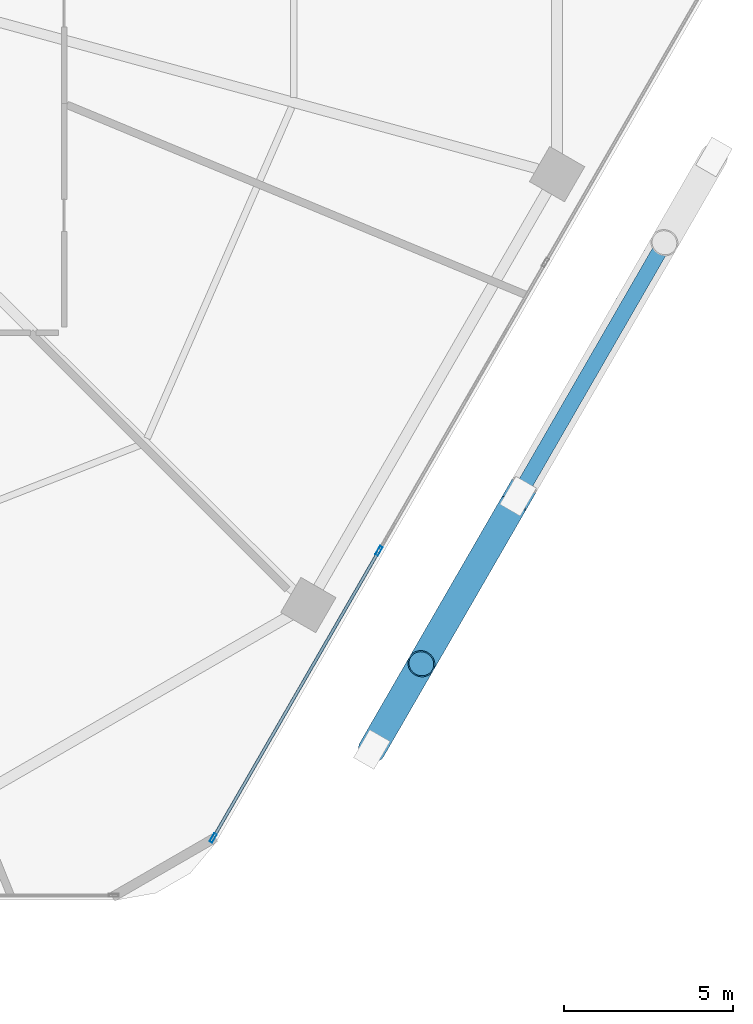
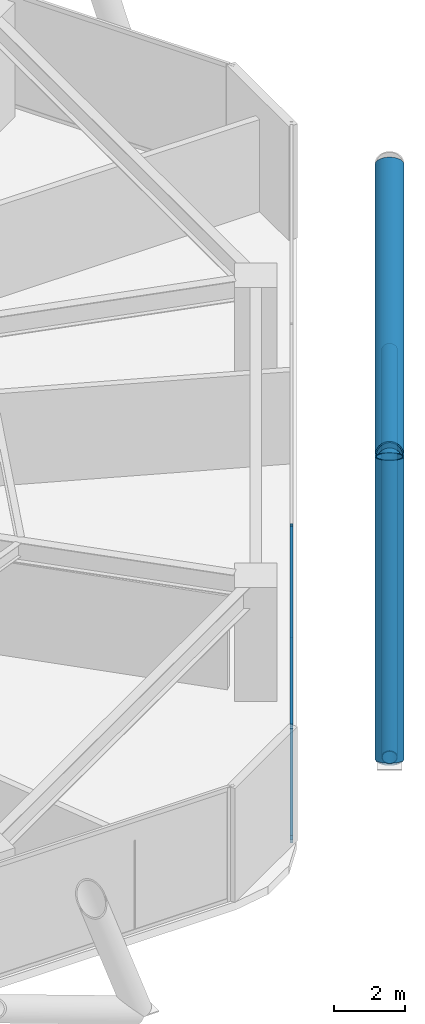
# One storey, part 9 of 28: 8 members, 1 element without a shape of its own.
"""IFC4 building model written with IfcOpenShell, lengths in metres."""

from ifc_helpers import new_model, si_unit, direction, frame, origin, origin_2d, place, context, subcontext, project, spatial, hollow_rectangle, hollow_circle, extrude, material, material_profile, profile_set, type_object, element, aggregate, save


model = new_model("IFC4")

# Units and contexts
model_context = context("Model", 3, precision=1e-05, world=origin(), true_north=direction((0.0, 1.0)))
body_context = subcontext(model_context, "Body", "Model", "MODEL_VIEW")
ifc_project = project(units=[si_unit("LENGTHUNIT", "METRE"), si_unit("AREAUNIT", "SQUARE_METRE"), si_unit("VOLUMEUNIT", "CUBIC_METRE"), si_unit("PLANEANGLEUNIT", "RADIAN"), si_unit("MASSUNIT", "GRAM", prefix="KILO")], contexts=[model_context])

# Site, building, storey
site_placement = place(None, origin())
site = spatial("IfcSite", under=ifc_project, at=site_placement, CompositionType="ELEMENT")
building_placement = place(site_placement, origin())
building = spatial("IfcBuilding", under=site, at=building_placement, Name="Zuhravey Tower", CompositionType="ELEMENT")
storey_placement = place(building_placement, frame((0.0, 0.0, 75.0)))
storey = spatial("IfcBuildingStorey", under=building, at=storey_placement, Name="L18", CompositionType="ELEMENT", Elevation=75.0)

# Curtain wall, members
ifc_material_1 = material(Name="Thermally broken anodised aluminium", Category="aluminium")
curtain_wall_type = type_object("IfcCurtainWallType", Name="School Low-E Unitised Curtain Wall CW1", PredefinedType="NOTDEFINED", material=ifc_material_1)
curtain_wall_placement = place(storey_placement, origin())
curtain_wall = element("IfcCurtainWall", 1, at=curtain_wall_placement, inside=storey, type_object=curtain_wall_type, Name="L18 CW1 CW-L18-F6-1", PredefinedType="NOTDEFINED")
ifc_material_2 = material(Name="Anodised aluminium", Category="aluminium")
ifc_material_profile_1 = material_profile(ifc_material_2, hollow_rectangle(XDim=0.090087890625, YDim=0.284912109375, WallThickness=0.0048828125, at=origin_2d()), Name="ALU-RHS-90x285x5")
ifc_profile_set_1 = profile_set([ifc_material_profile_1], Name="Anodised aluminium")
member_type_1 = type_object("IfcMemberType", Name="Curtain-Wall Mullion 90x180", PredefinedType="MULLION", material=ifc_profile_set_1)
member_1_placement = place(storey_placement, frame((58.612060546875, 13.24853515625, 0.0), z_axis=(0.0, 0.0, 1.0), x_axis=(0.86602552265, -0.499999794119, 0.0)))
member_1 = element("IfcMember", 2, at=member_1_placement, type_object=member_type_1, Name="CW1 mullion 3", PredefinedType="MULLION", context=body_context, shape_type="SweptSolid", body=[
    extrude(hollow_rectangle(XDim=0.090087890625, YDim=0.284912109375, WallThickness=0.0048828125, at=origin_2d()), origin(), (0.0, 0.0, 1.0), 3.919921875),
])
member_2_placement = place(storey_placement, frame((53.701416015625, 4.742919921875, 0.0), z_axis=(0.0, 0.0, 1.0), x_axis=(0.86602552265, -0.499999794119, 0.0)))
member_2 = element("IfcMember", 3, at=member_2_placement, type_object=member_type_1, Name="CW1 mullion 4", PredefinedType="MULLION", context=body_context, shape_type="SweptSolid", body=[
    extrude(hollow_rectangle(XDim=0.090087890625, YDim=0.284912109375, WallThickness=0.0048828125, at=origin_2d()), origin(), (0.0, 0.0, 1.0), 3.919921875),
])
ifc_material_profile_2 = material_profile(ifc_material_2, hollow_rectangle(XDim=0.090087890625, YDim=0.14990234375, WallThickness=0.0048828125, at=origin_2d()), Name="ALU-RHS-90x150x5")
ifc_profile_set_2 = profile_set([ifc_material_profile_2], Name="Anodised aluminium")
member_type_2 = type_object("IfcMemberType", Name="Curtain-Wall Transom 90x150", PredefinedType="USERDEFINED", material=ifc_profile_set_2)
member_3_placement = place(storey_placement, frame((58.589599609375, 13.20947265625, 0.044921875), z_axis=(-0.499989576763, -0.86603142156, 0.0), x_axis=(0.86603142156, -0.499989576763, 0.0)))
member_3 = element("IfcMember", 4, at=member_3_placement, type_object=member_type_2, Name="CW1 transom 3.1", ObjectType="TRANSOM", PredefinedType="USERDEFINED", context=body_context, shape_type="SweptSolid", body=[
    extrude(hollow_rectangle(XDim=0.090087890625, YDim=0.14990234375, WallThickness=0.0048828125, at=origin_2d()), origin(), (0.0, 0.0, 1.0), 9.731201171875),
])
member_4_placement = place(storey_placement, frame((58.589599609375, 13.20947265625, 3.875), z_axis=(-0.499989576763, -0.86603142156, 0.0), x_axis=(0.86603142156, -0.499989576763, 0.0)))
member_4 = element("IfcMember", 5, at=member_4_placement, type_object=member_type_2, Name="CW1 transom 3.2", ObjectType="TRANSOM", PredefinedType="USERDEFINED", context=body_context, shape_type="SweptSolid", body=[
    extrude(hollow_rectangle(XDim=0.090087890625, YDim=0.14990234375, WallThickness=0.0048828125, at=origin_2d()), origin(), (0.0, 0.0, 1.0), 9.731201171875),
])
aggregate(curtain_wall, [member_1, member_2, member_3, member_4])

# Members
ifc_material_3 = material(Name="Steel SM355", Category="steel")
ifc_material_profile_3 = material_profile(ifc_material_3, hollow_circle(Radius=0.228515625, WallThickness=0.02197265625, at=origin_2d()), Name="CHS-457.2x22")
ifc_profile_set_3 = profile_set([ifc_material_profile_3], Name="Steel SM355")
member_type_3 = type_object("IfcMemberType", Name="Exoskeleton Ring Tie CHS457x22", PredefinedType="CHORD", material=ifc_profile_set_3)
member_5_placement = place(storey_placement, frame((58.470703125, 7.483154296875, -0.493896484375), z_axis=(0.499987058157, 0.866032875632, 0.0), x_axis=(-0.866032875632, 0.499987058157, 0.0)))
element("IfcMember", 6, at=member_5_placement, inside=storey, type_object=member_type_3, Name="L18 Exoskeleton Face 6 Tie EXR1", PredefinedType="CHORD", context=body_context, shape_type="SweptSolid", body=[
    extrude(hollow_circle(Radius=0.228515625, WallThickness=0.02197265625, at=origin_2d()), origin(), (0.0, 0.0, 1.0), 19.99365234375),
])
ifc_material_4 = material(Name="Steel SM460", Category="steel")
ifc_material_profile_4 = material_profile(ifc_material_4, hollow_circle(Radius=0.406494140625, WallThickness=0.035888671875, at=origin_2d()), Name="CHS-812.8x36")
ifc_profile_set_4 = profile_set([ifc_material_profile_4], Name="Steel SM460")
member_type_4 = type_object("IfcMemberType", Name="Exoskeleton Zone 1 Diagrid CHS813x36", PredefinedType="BRACE", material=ifc_profile_set_4)
member_6_placement = place(storey_placement, frame((58.404541015625, 7.36865234375, -0.471923828125), z_axis=(0.165307317227, 0.286358046605, 0.943754501984), x_axis=(-0.866053660865, 0.499951054106, 0.0)))
element("IfcMember", 7, at=member_6_placement, inside=storey, type_object=member_type_4, Name="L18 Face 6 Diagrid Brace 1", PredefinedType="BRACE", context=body_context, shape_type="SweptSolid", body=[
    extrude(hollow_circle(Radius=0.406494140625, WallThickness=0.035888671875, at=origin_2d()), origin(), (0.0, 0.0, 1.0), 8.85400390625),
])
member_7_placement = place(storey_placement, frame((58.42333984375, 7.4013671875, -0.471923828125), z_axis=(0.449932637588, 0.779312332372, 0.436156978902), x_axis=(-0.866027110715, 0.499997043497, 0.0)))
element("IfcMember", 8, at=member_7_placement, inside=storey, type_object=member_type_4, Name="L18 Face 6 Diagrid Brace 2", PredefinedType="BRACE", context=body_context, shape_type="SweptSolid", body=[
    extrude(hollow_circle(Radius=0.406494140625, WallThickness=0.035888671875, at=origin_2d()), origin(), (0.0, 0.0, 1.0), 19.158203125),
])
member_8_placement = place(storey_placement, frame((62.573486328125, 14.589599609375, 3.940673828125), z_axis=(-0.403092056741, -0.69816190232, 0.59168129254), x_axis=(0.866021056018, -0.500007530476, 0.0)))
element("IfcMember", 9, at=member_8_placement, inside=storey, type_object=member_type_4, Name="L18 Face 6 Split Diagrid Brace 3B", PredefinedType="BRACE", context=body_context, shape_type="SweptSolid", body=[
    extrude(hollow_circle(Radius=0.406494140625, WallThickness=0.035888671875, at=origin_2d()), origin(), (0.0, 0.0, 1.0), 6.6513671875),
])

save(model, "model.ifc")
